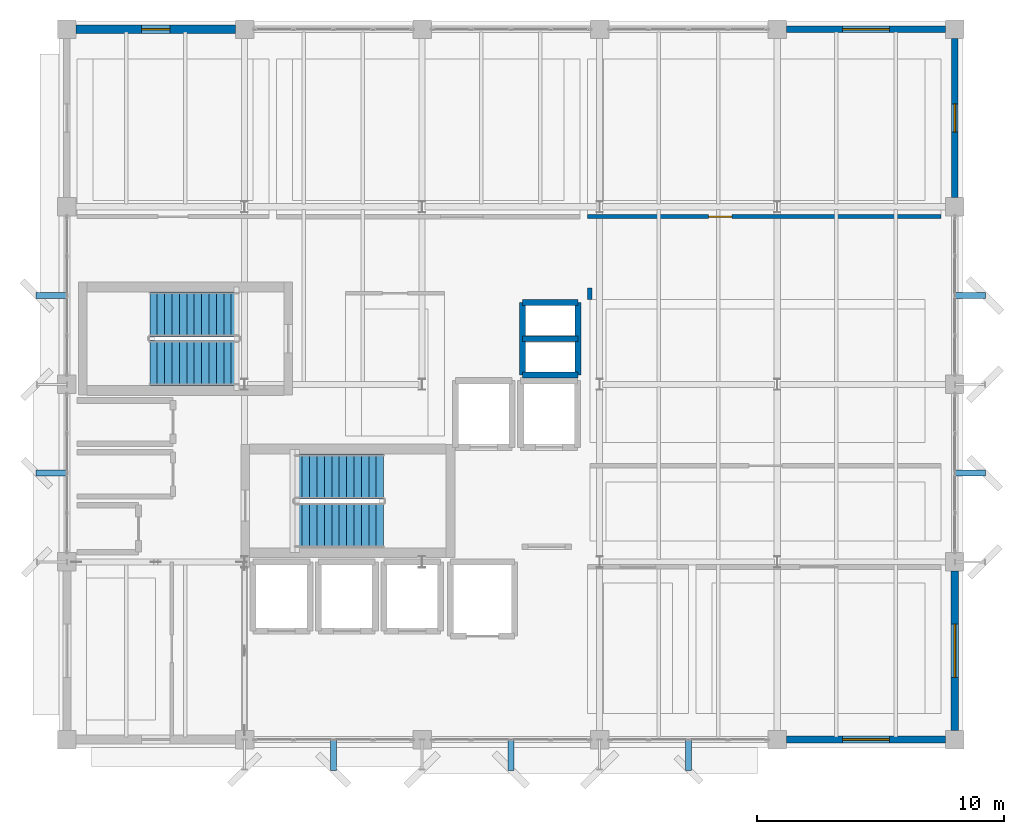
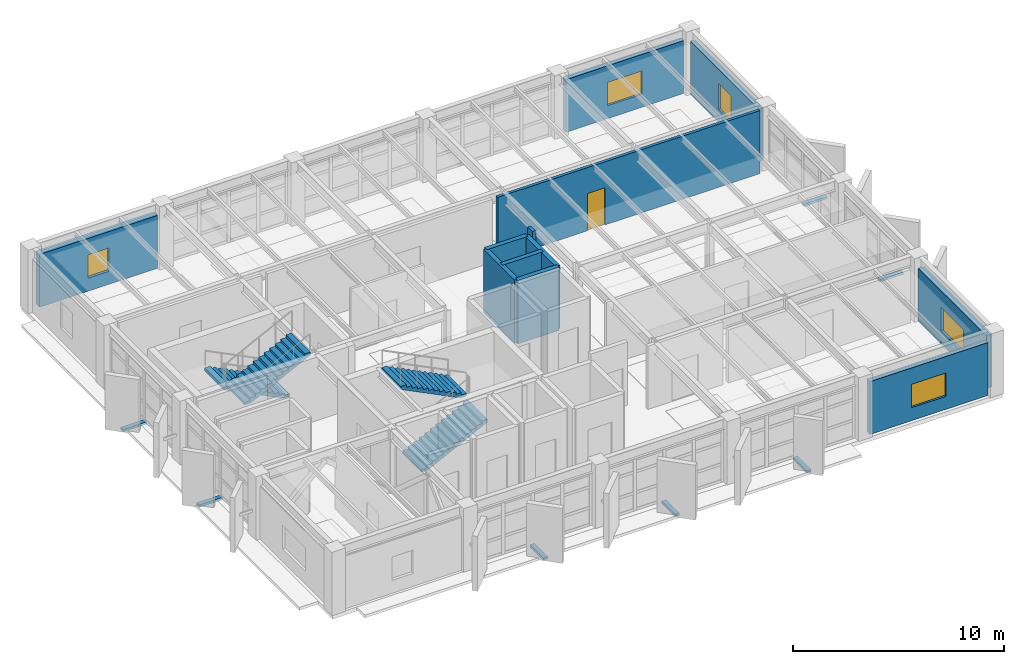
# One storey, part 18 of 24: 12 walls, 7 discrete accessories, 5 windows, 4 stair flights, 1 door, 6 openings, 2 elements without a shape of their own.
"""IFC4 building model written with IfcOpenShell, lengths in metres."""

from ifc_helpers import new_model, si_unit, direction, frame, frame_2d, origin, origin_2d, place, context, subcontext, project, spatial, polyline, rectangle, outline, extrude, material, layer, layer_set, type_object, element, fill, aggregate, save


model = new_model("IFC4")

# Units and contexts
model_context = context("Model", 3, precision=1e-05, world=origin(), true_north=direction((0.0, 1.0)))
body_context = subcontext(model_context, "Body", "Model", "MODEL_VIEW")
ifc_project = project(units=[si_unit("LENGTHUNIT", "METRE"), si_unit("AREAUNIT", "SQUARE_METRE"), si_unit("VOLUMEUNIT", "CUBIC_METRE"), si_unit("PLANEANGLEUNIT", "RADIAN"), si_unit("MASSUNIT", "GRAM", prefix="KILO")], contexts=[model_context])

# Site, building, storey
site_placement = place(None, origin())
site = spatial("IfcSite", under=ifc_project, at=site_placement, CompositionType="ELEMENT")
building_placement = place(site_placement, origin())
building = spatial("IfcBuilding", under=site, at=building_placement, Name="Kandorven Conservatory and Botanical Research Centre", CompositionType="ELEMENT")
storey_placement = place(building_placement, frame((0.0, 0.0, 21.0)))
storey = spatial("IfcBuildingStorey", under=building, at=storey_placement, Name="L05", CompositionType="ELEMENT", Elevation=21.0)

# Walls
ifc_material_1 = material(Name="Concrete C40/50 (M50)", Category="concrete")
ifc_layer_1 = layer(ifc_material_1, 0.35009765625)
ifc_layer_set_1 = layer_set([ifc_layer_1], Name="Concrete C40/50 (M50)")
wall_type_1 = type_object("IfcWallType", Name="Wall_CW-RC-2", PredefinedType="SHEAR", material=ifc_layer_set_1)
for number, where, z_axis, x_axis, name in (
    (1, (24.47998046875, 20.780029296875, 0.0), (0.0, 0.0, 1.0), (1.0, 0.0, 0.0), "Core MEP riser shaft wall CW-RC-2 L05 S"),
    (2, (24.47998046875, 22.25, 0.0), (0.0, 0.0, 1.0), (1.0, 0.0, 0.0), "Core MEP riser shaft wall CW-RC-2 L05 M"),
    (3, (24.47998046875, 23.719970703125, 0.0), (0.0, 0.0, 1.0), (1.0, 0.0, 0.0), "Core MEP riser shaft wall CW-RC-2 L05 N"),
):
    element("IfcWall", number, at=place(storey_placement, frame(where, z_axis=z_axis, x_axis=x_axis)), inside=storey, type_object=wall_type_1, Name=name, PredefinedType="SHEAR", context=body_context, shape_type="SweptSolid", body=[
        extrude(rectangle(XDim=2.239990234375, YDim=0.239990234375, at=frame_2d((1.1201171875, 0.0))), origin(), (0.0, 0.0, 1.0), 3.669921875),
    ])
for number, where, z_axis, x_axis, name in (
    (4, (24.47998046875, 20.780029296875, 0.0), (0.0, 0.0, 1.0), (0.0, 1.0, 0.0), "Core MEP riser shaft wall CW-RC-2 L05 W"),
    (5, (26.719970703125, 20.780029296875, 0.0), (0.0, 0.0, 1.0), (0.0, 1.0, 0.0), "Core MEP riser shaft wall CW-RC-2 L05 E"),
):
    element("IfcWall", number, at=place(storey_placement, frame(where, z_axis=z_axis, x_axis=x_axis)), inside=storey, type_object=wall_type_1, Name=name, PredefinedType="SHEAR", context=body_context, shape_type="SweptSolid", body=[
        extrude(rectangle(XDim=2.93994140625, YDim=0.239990234375, at=frame_2d((1.469970703125, 0.0))), origin(), (0.0, 0.0, 1.0), 3.669921875),
    ])

# Wall, opening, window
ifc_material_2 = material(Name="Concrete C40/50 (M50)", Category="concrete")
ifc_layer_2 = layer(ifc_material_2, 0.360107421875)
ifc_layer_set_2 = layer_set([ifc_layer_2], Name="Concrete C40/50 (M50)")
wall_type_2 = type_object("IfcWallType", Name="Wall_EW-01", PredefinedType="STANDARD", material=ifc_layer_set_2)
wall_1_placement = place(storey_placement, frame((6.375, 34.800048828125, 0.0), z_axis=(0.0, 0.0, 1.0), x_axis=(1.0, 0.0, 0.0)))
wall_1 = element("IfcWall", 6, at=wall_1_placement, inside=storey, type_object=wall_type_2, Name="Tower concrete facade wall EW-01 N L05", PredefinedType="STANDARD", context=body_context, shape_type="SweptSolid", body=[
    extrude(rectangle(XDim=6.449951171875, YDim=0.360107421875, at=frame_2d((3.22509765625, 0.0))), origin(), (0.0, 0.0, 1.0), 3.050048828125),
])
opening_1_placement = place(wall_1_placement, frame((2.64990234375, 0.0, 0.75)))
opening_1 = element("IfcOpeningElement", 7, at=opening_1_placement, cuts=wall_1, Name="Opening W-31", PredefinedType="OPENING", context=body_context, shape_type="SweptSolid", body=[
    extrude(rectangle(XDim=1.14990234375, YDim=1.35009765625, at=frame_2d((0.574951171875, 0.675048828125))), frame((0.0, 0.18994140625, 0.0), z_axis=(0.0, -1.0, 0.0), x_axis=(1.0, 0.0, 0.0)), (0.0, 0.0, 1.0), 0.380126953125),
])
ifc_material_3 = material(Name="Double-glazed solar-control low-E glass", Category="glass")
window_type_1 = type_object("IfcWindowType", Name="Win_W-31", PartitioningType="DOUBLE_PANEL_VERTICAL", PredefinedType="WINDOW", material=ifc_material_3)
window_1_placement = place(opening_1_placement, origin())
window_1 = element("IfcWindow", 8, at=window_1_placement, inside=storey, type_object=window_type_1, Name="Tower recessed solar window W-31", OverallHeight=1.35009765625, OverallWidth=1.14990234375, PartitioningType="SINGLE_PANEL", PredefinedType="WINDOW", context=body_context, shape_type="SweptSolid", body=[
    extrude(rectangle(XDim=1.14990234375, YDim=1.35009765625, at=frame_2d((0.574951171875, 0.675048828125))), frame((0.0, 0.030029296875, 0.0), z_axis=(0.0, -1.0, 0.0), x_axis=(1.0, 0.0, 0.0)), (0.0, 0.0, 1.0), 0.06005859375),
])
fill(opening_1, window_1)

ifc_material_4 = material(Name="Concrete C32/40 (M40)", Category="concrete")
ifc_layer_3 = layer(ifc_material_4, 0.320068359375)
ifc_layer_set_3 = layer_set([ifc_layer_3], Name="Concrete C32/40 (M40)")
wall_type_3 = type_object("IfcWallType", Name="Wall_EW-03", PredefinedType="STANDARD", material=ifc_layer_set_3)
wall_2_placement = place(storey_placement, frame((42.0, 6.375, 0.0), z_axis=(0.0, 0.0, 1.0), x_axis=(0.0, 1.0, 0.0)))
wall_2 = element("IfcWall", 9, at=wall_2_placement, inside=storey, type_object=wall_type_3, Name="Tower concrete facade wall EW-03 E L05", PredefinedType="STANDARD", context=body_context, shape_type="SweptSolid", body=[
    extrude(rectangle(XDim=6.449951171875, YDim=0.320068359375, at=frame_2d((3.22509765625, 0.0))), origin(), (0.0, 0.0, 1.0), 3.050048828125),
])
opening_2_placement = place(wall_2_placement, frame((2.14990234375, 0.0, 0.75)))
opening_2 = element("IfcOpeningElement", 10, at=opening_2_placement, cuts=wall_2, Name="Opening W-36", PredefinedType="OPENING", context=body_context, shape_type="SweptSolid", body=[
    extrude(rectangle(XDim=2.14990234375, YDim=1.35009765625, at=frame_2d((1.074951171875, 0.675048828125))), frame((0.0, 0.169921875, 0.0), z_axis=(0.0, -1.0, 0.0), x_axis=(1.0, 0.0, 0.0)), (0.0, 0.0, 1.0), 0.340087890625),
])
ifc_material_5 = material(Name="Double-glazed solar-control low-E glass", Category="glass")
window_type_2 = type_object("IfcWindowType", Name="Win_W-36", PartitioningType="DOUBLE_PANEL_VERTICAL", PredefinedType="WINDOW", material=ifc_material_5)
window_2_placement = place(opening_2_placement, origin())
window_2 = element("IfcWindow", 11, at=window_2_placement, inside=storey, type_object=window_type_2, Name="Tower recessed solar window W-36", OverallHeight=1.35009765625, OverallWidth=2.14990234375, PartitioningType="SINGLE_PANEL", PredefinedType="WINDOW", context=body_context, shape_type="SweptSolid", body=[
    extrude(rectangle(XDim=2.14990234375, YDim=1.35009765625, at=frame_2d((1.074951171875, 0.675048828125))), frame((0.0, 0.030029296875, 0.0), z_axis=(0.0, -1.0, 0.0), x_axis=(1.0, 0.0, 0.0)), (0.0, 0.0, 1.0), 0.06005859375),
])
fill(opening_2, window_2)

ifc_material_6 = material(Name="Concrete C32/40 (M40)", Category="concrete")
ifc_layer_4 = layer(ifc_material_6, 0.280029296875)
ifc_layer_set_4 = layer_set([ifc_layer_4], Name="Concrete C32/40 (M40)")
wall_type_4 = type_object("IfcWallType", Name="Wall_EW-05", PredefinedType="STANDARD", material=ifc_layer_set_4)
wall_3_placement = place(storey_placement, frame((35.175048828125, 6.0, 0.0), z_axis=(0.0, 0.0, 1.0), x_axis=(1.0, 0.0, 0.0)))
wall_3 = element("IfcWall", 12, at=wall_3_placement, inside=storey, type_object=wall_type_4, Name="Tower concrete facade wall EW-05 S L05", PredefinedType="STANDARD", context=body_context, shape_type="SweptSolid", body=[
    extrude(rectangle(XDim=6.449951171875, YDim=0.280029296875, at=frame_2d((3.22509765625, 0.0))), origin(), (0.0, 0.0, 1.0), 3.050048828125),
])
opening_3_placement = place(wall_3_placement, frame((2.27490234375, 0.0, 0.75)))
opening_3 = element("IfcOpeningElement", 13, at=opening_3_placement, cuts=wall_3, Name="Opening W-35", PredefinedType="OPENING", context=body_context, shape_type="SweptSolid", body=[
    extrude(rectangle(XDim=1.89990234375, YDim=1.35009765625, at=frame_2d((0.949951171875, 0.675048828125))), frame((0.0, 0.14990234375, 0.0), z_axis=(0.0, -1.0, 0.0), x_axis=(1.0, 0.0, 0.0)), (0.0, 0.0, 1.0), 0.300048828125),
])
ifc_material_7 = material(Name="Double-glazed solar-control low-E glass", Category="glass")
window_type_3 = type_object("IfcWindowType", Name="Win_W-35", PartitioningType="DOUBLE_PANEL_VERTICAL", PredefinedType="WINDOW", material=ifc_material_7)
window_3_placement = place(opening_3_placement, origin())
window_3 = element("IfcWindow", 14, at=window_3_placement, inside=storey, type_object=window_type_3, Name="Tower recessed solar window W-35", OverallHeight=1.35009765625, OverallWidth=1.89990234375, PartitioningType="SINGLE_PANEL", PredefinedType="WINDOW", context=body_context, shape_type="SweptSolid", body=[
    extrude(rectangle(XDim=1.89990234375, YDim=1.35009765625, at=frame_2d((0.949951171875, 0.675048828125))), frame((0.0, 0.030029296875, 0.0), z_axis=(0.0, -1.0, 0.0), x_axis=(1.0, 0.0, 0.0)), (0.0, 0.0, 1.0), 0.06005859375),
])
fill(opening_3, window_3)

wall_4_placement = place(storey_placement, frame((35.175048828125, 34.800048828125, 0.0), z_axis=(0.0, 0.0, 1.0), x_axis=(1.0, 0.0, 0.0)))
wall_4 = element("IfcWall", 15, at=wall_4_placement, inside=storey, type_object=wall_type_4, Name="Tower concrete facade wall EW-05 N L05", PredefinedType="STANDARD", context=body_context, shape_type="SweptSolid", body=[
    extrude(rectangle(XDim=6.449951171875, YDim=0.280029296875, at=frame_2d((3.22509765625, 0.0))), origin(), (0.0, 0.0, 1.0), 3.050048828125),
])
opening_4_placement = place(wall_4_placement, frame((2.27490234375, 0.0, 0.75)))
opening_4 = element("IfcOpeningElement", 16, at=opening_4_placement, cuts=wall_4, Name="Opening W-35", PredefinedType="OPENING", context=body_context, shape_type="SweptSolid", body=[
    extrude(rectangle(XDim=1.89990234375, YDim=1.35009765625, at=frame_2d((0.949951171875, 0.675048828125))), frame((0.0, 0.14990234375, 0.0), z_axis=(0.0, -1.0, 0.0), x_axis=(1.0, 0.0, 0.0)), (0.0, 0.0, 1.0), 0.300048828125),
])
window_4_placement = place(opening_4_placement, origin())
window_4 = element("IfcWindow", 17, at=window_4_placement, inside=storey, type_object=window_type_3, Name="Tower recessed solar window W-35", OverallHeight=1.35009765625, OverallWidth=1.89990234375, PartitioningType="SINGLE_PANEL", PredefinedType="WINDOW", context=body_context, shape_type="SweptSolid", body=[
    extrude(rectangle(XDim=1.89990234375, YDim=1.35009765625, at=frame_2d((0.949951171875, 0.675048828125))), frame((0.0, 0.030029296875, 0.0), z_axis=(0.0, -1.0, 0.0), x_axis=(1.0, 0.0, 0.0)), (0.0, 0.0, 1.0), 0.06005859375),
])
fill(opening_4, window_4)

ifc_material_8 = material(Name="Concrete C32/40 (M40)", Category="concrete")
ifc_layer_5 = layer(ifc_material_8, 0.260009765625)
ifc_layer_set_5 = layer_set([ifc_layer_5], Name="Concrete C32/40 (M40)")
wall_type_5 = type_object("IfcWallType", Name="Wall_EW-06", PredefinedType="STANDARD", material=ifc_layer_set_5)
wall_5_placement = place(storey_placement, frame((42.0, 27.97509765625, 0.0), z_axis=(0.0, 0.0, 1.0), x_axis=(0.0, 1.0, 0.0)))
wall_5 = element("IfcWall", 18, at=wall_5_placement, inside=storey, type_object=wall_type_5, Name="Tower concrete facade wall EW-06 E L05", PredefinedType="STANDARD", context=body_context, shape_type="SweptSolid", body=[
    extrude(rectangle(XDim=6.449951171875, YDim=0.260009765625, at=frame_2d((3.22509765625, 0.0))), origin(), (0.0, 0.0, 1.0), 3.050048828125),
])
opening_5_placement = place(wall_5_placement, frame((2.64990234375, 0.0, 0.75)))
opening_5 = element("IfcOpeningElement", 19, at=opening_5_placement, cuts=wall_5, Name="Opening W-39", PredefinedType="OPENING", context=body_context, shape_type="SweptSolid", body=[
    extrude(rectangle(XDim=1.14990234375, YDim=1.5, at=frame_2d((0.574951171875, 0.75))), frame((0.0, 0.139892578125, 0.0), z_axis=(0.0, -1.0, 0.0), x_axis=(1.0, 0.0, 0.0)), (0.0, 0.0, 1.0), 0.280029296875),
])
ifc_material_9 = material(Name="Double-glazed solar-control low-E glass", Category="glass")
window_type_4 = type_object("IfcWindowType", Name="Win_W-39", PartitioningType="DOUBLE_PANEL_VERTICAL", PredefinedType="WINDOW", material=ifc_material_9)
window_5_placement = place(opening_5_placement, origin())
window_5 = element("IfcWindow", 20, at=window_5_placement, inside=storey, type_object=window_type_4, Name="Tower recessed solar window W-39", OverallHeight=1.5, OverallWidth=1.14990234375, PartitioningType="SINGLE_PANEL", PredefinedType="WINDOW", context=body_context, shape_type="SweptSolid", body=[
    extrude(rectangle(XDim=1.14990234375, YDim=1.5, at=frame_2d((0.574951171875, 0.75))), frame((0.0, 0.030029296875, 0.0), z_axis=(0.0, -1.0, 0.0), x_axis=(1.0, 0.0, 0.0)), (0.0, 0.0, 1.0), 0.06005859375),
])
fill(opening_5, window_5)

# Wall
ifc_material_10 = material(Name="Autoclaved aerated concrete blockwork masonry", Category="masonry")
ifc_layer_6 = layer(ifc_material_10, 0.195068359375)
ifc_layer_set_6 = layer_set([ifc_layer_6], Name="Autoclaved aerated concrete blockwork masonry")
wall_type_6 = type_object("IfcWallType", Name="Wall_IW-02", PredefinedType="PARTITIONING", material=ifc_layer_set_6)
wall_6_placement = place(storey_placement, frame((27.199951171875, 24.300048828125, 0.0), z_axis=(0.0, 0.0, 1.0), x_axis=(0.0, -1.0, 0.0)))
element("IfcWall", 21, at=wall_6_placement, inside=storey, type_object=wall_type_6, Name="Interior partition wall IW-02 (Botanical Curation Studio L05)", PredefinedType="PARTITIONING", context=body_context, shape_type="SweptSolid", body=[
    extrude(rectangle(XDim=0.449951171875, YDim=0.195068359375, at=frame_2d((0.22509765625, 0.0))), origin(), (0.0, 0.0, 1.0), 3.64990234375),
])

# Wall, opening, door
ifc_material_11 = material(Name="Autoclaved aerated concrete blockwork masonry", Category="masonry")
ifc_layer_7 = layer(ifc_material_11, 0.1650390625)
ifc_layer_set_7 = layer_set([ifc_layer_7], Name="Autoclaved aerated concrete blockwork masonry")
wall_type_7 = type_object("IfcWallType", Name="Wall_IW-04", PredefinedType="PARTITIONING", material=ifc_layer_set_7)
wall_7_placement = place(storey_placement, frame((27.10009765625, 27.199951171875, 0.0), z_axis=(0.0, 0.0, 1.0), x_axis=(1.0, 0.0, 0.0)))
wall_7 = element("IfcWall", 22, at=wall_7_placement, inside=storey, type_object=wall_type_7, Name="Interior partition wall IW-04 (Departmental Research Seminar Room L05)", PredefinedType="PARTITIONING", context=body_context, shape_type="SweptSolid", body=[
    extrude(rectangle(XDim=14.349853515625, YDim=0.1650390625, at=frame_2d((7.1748046875, 0.0))), origin(), (0.0, 0.0, 1.0), 3.64990234375),
])
opening_6_placement = place(wall_7_placement, frame((4.9150390625, 0.0, 0.0)))
opening_6 = element("IfcOpeningElement", 23, at=opening_6_placement, cuts=wall_7, Name="Opening D-01", PredefinedType="OPENING", context=body_context, shape_type="SweptSolid", body=[
    extrude(rectangle(XDim=0.949951171875, YDim=2.14990234375, at=frame_2d((0.47509765625, 1.074951171875))), frame((0.0, 0.092529296875, 0.0), z_axis=(0.0, -1.0, 0.0), x_axis=(1.0, 0.0, 0.0)), (0.0, 0.0, 1.0), 0.18505859375),
])
ifc_material_12 = material(Name="Solid core acoustic teak-veneered timber leaf", Category="wood")
door_type = type_object("IfcDoorType", Name="Door_D-01", OperationType="NOTDEFINED", PredefinedType="DOOR", material=ifc_material_12)
door_placement = place(opening_6_placement, origin())
door = element("IfcDoor", 24, at=door_placement, inside=storey, type_object=door_type, Name="Interior door D-01 to Departmental Research Seminar Room L05", OperationType="SINGLE_SWING_LEFT", OverallHeight=2.14990234375, OverallWidth=0.949951171875, PredefinedType="DOOR", context=body_context, shape_type="SweptSolid", body=[
    extrude(rectangle(XDim=0.949951171875, YDim=2.14990234375, at=frame_2d((0.47509765625, 1.074951171875))), frame((0.0, 0.02490234375, 0.0), z_axis=(0.0, -1.0, 0.0), x_axis=(1.0, 0.0, 0.0)), (0.0, 0.0, 1.0), 0.050048828125),
])
fill(opening_6, door)

# Stair, stair flights
ifc_material_13 = material(Name="Concrete C32/40 (M40)", Category="concrete")
stair_type = type_object("IfcStairType", Name="Stair_1820", PredefinedType="HALF_TURN_STAIR", material=ifc_material_13)
stair_1_placement = place(storey_placement, origin())
stair_1 = element("IfcStair", 25, at=stair_1_placement, inside=storey, type_object=stair_type, Name="L05 Tower Fire Stair ST-T1", PredefinedType="HALF_TURN_STAIR")
ifc_material_14 = material(Name="Concrete C32/40 (M40)", Category="concrete")
ifc_layer_8 = layer(ifc_material_14, 0.14990234375)
ifc_layer_set_8 = layer_set([ifc_layer_8], Name="Concrete C32/40 (M40)")
stair_flight_type = type_object("IfcStairFlightType", Name="Flight_1820", PredefinedType="STRAIGHT", material=ifc_layer_set_8)
stair_flight_1_placement = place(storey_placement, frame((15.239990234375, 14.68994140625, 0.0), z_axis=(0.0, 0.0, 1.0), x_axis=(1.0, 0.0, 0.0)))
stair_flight_1 = element("IfcStairFlight", 26, at=stair_flight_1_placement, type_object=stair_flight_type, Name="ST-T1 flight 1", NumberOfRisers=13, NumberOfTreads=12, PredefinedType="STRAIGHT", RiserHeight=0.15, TreadLength=0.3, context=body_context, shape_type="SweptSolid", body=[
    extrude(outline(polyline([(0.0, 0.0), (0.0, 0.14990234375), (0.300048828125, 0.14990234375), (0.300048828125, 0.300048828125), (0.60009765625, 0.300048828125), (0.60009765625, 0.449951171875), (0.89990234375, 0.449951171875), (0.89990234375, 0.60009765625), (1.199951171875, 0.60009765625), (1.199951171875, 0.75), (1.5, 0.75), (1.5, 0.89990234375), (1.800048828125, 0.89990234375), (1.800048828125, 1.050048828125), (2.10009765625, 1.050048828125), (2.10009765625, 1.199951171875), (2.39990234375, 1.199951171875), (2.39990234375, 1.35009765625), (2.699951171875, 1.35009765625), (2.699951171875, 1.5), (3.0, 1.5), (3.0, 1.64990234375), (3.300048828125, 1.64990234375), (3.300048828125, 1.800048828125), (3.60009765625, 1.800048828125), (3.60009765625, 1.949951171875), (3.60009765625, 1.63232421875), (0.335205078125, 0.0), (0.0, 0.0)])), frame((0.0, 0.91015625, 0.0), z_axis=(0.0, -1.0, 0.0), x_axis=(1.0, 0.0, 0.0)), (0.0, 0.0, 1.0), 1.820068359375),
])
stair_flight_2_placement = place(storey_placement, frame((18.839599609375, 16.659912109375, 1.949951171875), z_axis=(0.0, 0.0, 1.0), x_axis=(-1.0, 0.0, 0.0)))
stair_flight_2 = element("IfcStairFlight", 27, at=stair_flight_2_placement, type_object=stair_flight_type, Name="ST-T1 flight 2", NumberOfRisers=13, NumberOfTreads=12, PredefinedType="STRAIGHT", RiserHeight=0.15, TreadLength=0.3, context=body_context, shape_type="SweptSolid", body=[
    extrude(outline(polyline([(0.0, 0.0), (0.0, 0.14990234375), (0.300048828125, 0.14990234375), (0.300048828125, 0.300048828125), (0.60009765625, 0.300048828125), (0.60009765625, 0.449951171875), (0.89990234375, 0.449951171875), (0.89990234375, 0.60009765625), (1.199951171875, 0.60009765625), (1.199951171875, 0.75), (1.5, 0.75), (1.5, 0.89990234375), (1.800048828125, 0.89990234375), (1.800048828125, 1.050048828125), (2.10009765625, 1.050048828125), (2.10009765625, 1.199951171875), (2.39990234375, 1.199951171875), (2.39990234375, 1.35009765625), (2.699951171875, 1.35009765625), (2.699951171875, 1.5), (3.0, 1.5), (3.0, 1.64990234375), (3.300048828125, 1.64990234375), (3.300048828125, 1.800048828125), (3.60009765625, 1.800048828125), (3.60009765625, 1.949951171875), (3.60009765625, 1.63232421875), (0.335205078125, 0.0), (0.0, 0.0)])), frame((0.0, 0.91015625, 0.0), z_axis=(0.0, -1.0, 0.0), x_axis=(1.0, 0.0, 0.0)), (0.0, 0.0, 1.0), 1.820068359375),
])
aggregate(stair_1, [stair_flight_1, stair_flight_2])

stair_2_placement = place(storey_placement, origin())
stair_2 = element("IfcStair", 28, at=stair_2_placement, inside=storey, type_object=stair_type, Name="L05 Tower Fire Stair ST-T2", PredefinedType="HALF_TURN_STAIR")
stair_flight_3_placement = place(storey_placement, frame((12.9599609375, 23.239990234375, 0.0), z_axis=(0.0, 0.0, 1.0), x_axis=(-1.0, 0.0, 0.0)))
stair_flight_3 = element("IfcStairFlight", 29, at=stair_flight_3_placement, type_object=stair_flight_type, Name="ST-T2 flight 1", NumberOfRisers=13, NumberOfTreads=12, PredefinedType="STRAIGHT", RiserHeight=0.15, TreadLength=0.3, context=body_context, shape_type="SweptSolid", body=[
    extrude(outline(polyline([(0.0, 0.0), (0.0, 0.14990234375), (0.300048828125, 0.14990234375), (0.300048828125, 0.300048828125), (0.60009765625, 0.300048828125), (0.60009765625, 0.449951171875), (0.89990234375, 0.449951171875), (0.89990234375, 0.60009765625), (1.199951171875, 0.60009765625), (1.199951171875, 0.75), (1.5, 0.75), (1.5, 0.89990234375), (1.800048828125, 0.89990234375), (1.800048828125, 1.050048828125), (2.10009765625, 1.050048828125), (2.10009765625, 1.199951171875), (2.39990234375, 1.199951171875), (2.39990234375, 1.35009765625), (2.699951171875, 1.35009765625), (2.699951171875, 1.5), (3.0, 1.5), (3.0, 1.64990234375), (3.300048828125, 1.64990234375), (3.300048828125, 1.800048828125), (3.60009765625, 1.800048828125), (3.60009765625, 1.949951171875), (3.60009765625, 1.63232421875), (0.335205078125, 0.0), (0.0, 0.0)])), frame((0.0, 0.91015625, 0.0), z_axis=(0.0, -1.0, 0.0), x_axis=(1.0, 0.0, 0.0)), (0.0, 0.0, 1.0), 1.820068359375),
])
stair_flight_4_placement = place(storey_placement, frame((9.360595703125, 21.27001953125, 1.949951171875), z_axis=(0.0, 0.0, 1.0), x_axis=(1.0, 0.0, 0.0)))
stair_flight_4 = element("IfcStairFlight", 30, at=stair_flight_4_placement, type_object=stair_flight_type, Name="ST-T2 flight 2", NumberOfRisers=13, NumberOfTreads=12, PredefinedType="STRAIGHT", RiserHeight=0.15, TreadLength=0.3, context=body_context, shape_type="SweptSolid", body=[
    extrude(outline(polyline([(0.0, 0.0), (0.0, 0.14990234375), (0.300048828125, 0.14990234375), (0.300048828125, 0.300048828125), (0.60009765625, 0.300048828125), (0.60009765625, 0.449951171875), (0.89990234375, 0.449951171875), (0.89990234375, 0.60009765625), (1.199951171875, 0.60009765625), (1.199951171875, 0.75), (1.5, 0.75), (1.5, 0.89990234375), (1.800048828125, 0.89990234375), (1.800048828125, 1.050048828125), (2.10009765625, 1.050048828125), (2.10009765625, 1.199951171875), (2.39990234375, 1.199951171875), (2.39990234375, 1.35009765625), (2.699951171875, 1.35009765625), (2.699951171875, 1.5), (3.0, 1.5), (3.0, 1.64990234375), (3.300048828125, 1.64990234375), (3.300048828125, 1.800048828125), (3.60009765625, 1.800048828125), (3.60009765625, 1.949951171875), (3.60009765625, 1.63232421875), (0.335205078125, 0.0), (0.0, 0.0)])), frame((0.0, 0.91015625, 0.0), z_axis=(0.0, -1.0, 0.0), x_axis=(1.0, 0.0, 0.0)), (0.0, 0.0, 1.0), 1.820068359375),
])
aggregate(stair_2, [stair_flight_3, stair_flight_4])

# Discrete accessories
ifc_material_15 = material(Name="Steel S355 (IS 2062 E350)", Category="steel")
discrete_accessory_type = type_object("IfcDiscreteAccessoryType", Name="JaliBracket", PredefinedType="BRACKET", material=ifc_material_15)
for number, where, z_axis, x_axis, name in (
    (31, (16.800048828125, 5.389892578125, -0.1298828125), (0.0, 0.0, 1.0), (1.0, 0.0, 0.0), "Stainless steel fin support bracket BRK-01 #46"),
    (32, (24.0, 5.389892578125, -0.1298828125), (0.0, 0.0, 1.0), (1.0, 0.0, 0.0), "Stainless steel fin support bracket BRK-01 #48"),
    (33, (31.199951171875, 5.389892578125, -0.1298828125), (0.0, 0.0, 1.0), (1.0, 0.0, 0.0), "Stainless steel fin support bracket BRK-01 #50"),
):
    element("IfcDiscreteAccessory", number, at=place(storey_placement, frame(where, z_axis=z_axis, x_axis=x_axis)), inside=storey, type_object=discrete_accessory_type, Name=name, PredefinedType="BRACKET", context=body_context, shape_type="SweptSolid", body=[
        extrude(rectangle(XDim=0.239990234375, YDim=1.280029296875, at=origin_2d()), origin(), (0.0, 0.0, 1.0), 0.139892578125),
    ])
for number, where, z_axis, x_axis, name in (
    (34, (5.389892578125, 16.800048828125, -0.1298828125), (0.0, 0.0, 1.0), (1.0, 0.0, 0.0), "Stainless steel fin support bracket BRK-01 #52"),
    (35, (5.389892578125, 24.0, -0.1298828125), (0.0, 0.0, 1.0), (1.0, 0.0, 0.0), "Stainless steel fin support bracket BRK-01 #54"),
    (36, (42.610107421875, 16.800048828125, -0.1298828125), (0.0, 0.0, 1.0), (1.0, 0.0, 0.0), "Stainless steel fin support bracket BRK-01 #56"),
    (37, (42.610107421875, 24.0, -0.1298828125), (0.0, 0.0, 1.0), (1.0, 0.0, 0.0), "Stainless steel fin support bracket BRK-01 #58"),
):
    element("IfcDiscreteAccessory", number, at=place(storey_placement, frame(where, z_axis=z_axis, x_axis=x_axis)), inside=storey, type_object=discrete_accessory_type, Name=name, PredefinedType="BRACKET", context=body_context, shape_type="SweptSolid", body=[
        extrude(rectangle(XDim=1.280029296875, YDim=0.239990234375, at=origin_2d()), origin(), (0.0, 0.0, 1.0), 0.139892578125),
    ])

save(model, "model.ifc")
